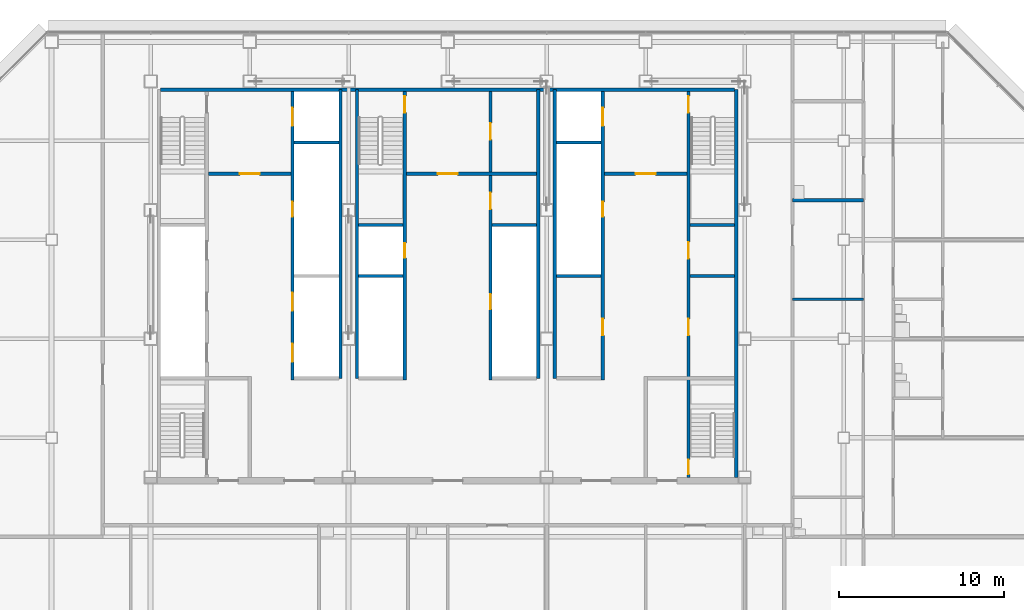
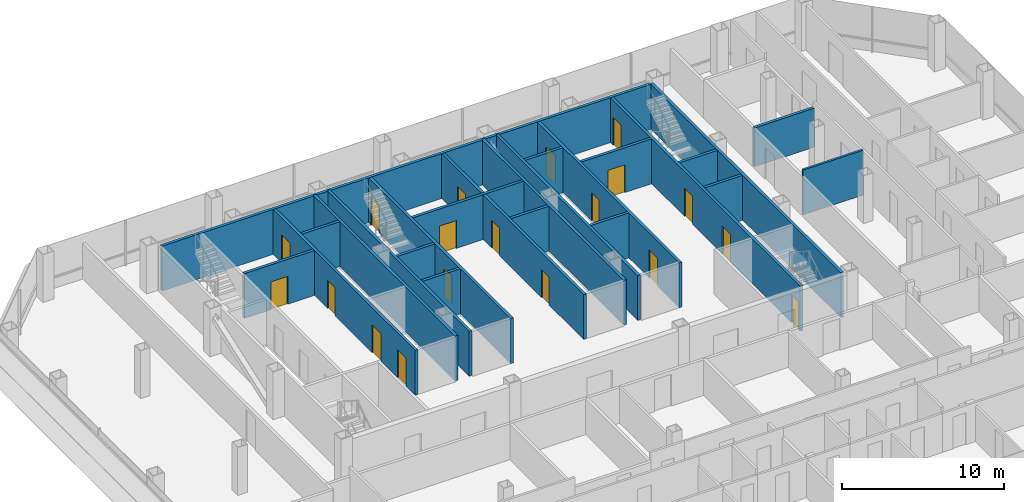
# One storey, part 22 of 26: 24 walls, 19 doors, 19 openings.
"""IFC4 building model written with IfcOpenShell, lengths in metres."""

from ifc_helpers import new_model, si_unit, direction, frame, frame_2d, origin, place, context, subcontext, project, spatial, rectangle, extrude, material, layer, layer_set, type_object, element, fill, save


model = new_model("IFC4")

# Units and contexts
model_context = context("Model", 3, precision=1e-05, world=origin(), true_north=direction((0.0, 1.0)))
body_context = subcontext(model_context, "Body", "Model", "MODEL_VIEW")
ifc_project = project(units=[si_unit("LENGTHUNIT", "METRE"), si_unit("AREAUNIT", "SQUARE_METRE"), si_unit("VOLUMEUNIT", "CUBIC_METRE"), si_unit("PLANEANGLEUNIT", "RADIAN"), si_unit("MASSUNIT", "GRAM", prefix="KILO")], contexts=[model_context])

# Site, building, storey
site_placement = place(None, origin())
site = spatial("IfcSite", under=ifc_project, at=site_placement, CompositionType="ELEMENT")
building_placement = place(site_placement, origin())
building = spatial("IfcBuilding", under=site, at=building_placement, Name="Sorahane Residences", CompositionType="ELEMENT")
storey_placement = place(building_placement, frame((0.0, 0.0, 110.60009765625)))
storey = spatial("IfcBuildingStorey", under=building, at=storey_placement, Name="L24", CompositionType="ELEMENT", Elevation=110.60009765625)

# Walls
ifc_material_1 = material(Name="Concrete C30", Category="concrete")
ifc_layer_1 = layer(ifc_material_1, 0.199951171875)
ifc_layer_set_1 = layer_set([ifc_layer_1], Name="Core face wall 200 EI 180")
wall_type_1 = type_object("IfcWallType", Name="Core face wall 200 EI 180", PredefinedType="SOLIDWALL", material=ifc_layer_set_1)
wall_1_placement = place(storey_placement, frame((41.5, 21.60009765625, 0.0), z_axis=(0.0, 0.0, 1.0), x_axis=(0.0, 1.0, 0.0)))
element("IfcWall", 1, at=wall_1_placement, inside=storey, type_object=wall_type_1, Name="L24 core face wall", PredefinedType="SOLIDWALL", context=body_context, shape_type="SweptSolid", body=[
    extrude(rectangle(XDim=23.5, YDim=0.199951171875, at=frame_2d((11.75, 0.0))), origin(), (0.0, 0.0, 1.0), 3.3798828125),
])
wall_2_placement = place(storey_placement, frame((6.60009765625, 45.10009765625, 0.0), z_axis=(0.0, 0.0, 1.0), x_axis=(1.0, 0.0, 0.0)))
element("IfcWall", 2, at=wall_2_placement, inside=storey, type_object=wall_type_1, Name="L24 core face wall", PredefinedType="SOLIDWALL", context=body_context, shape_type="SweptSolid", body=[
    extrude(rectangle(XDim=34.7998046875, YDim=0.199951171875, at=frame_2d((17.39990234375, 0.0))), origin(), (0.0, 0.0, 1.0), 3.3798828125),
])
for number, where, z_axis, x_axis, name in (
    (3, (17.5, 27.60009765625, 0.0), (0.0, 0.0, 1.0), (0.0, 1.0, 0.0), "L24 core face wall"),
    (4, (18.5, 27.60009765625, 0.0), (0.0, 0.0, 1.0), (0.0, 1.0, 0.0), "L24 core face wall"),
    (5, (29.5, 27.60009765625, 0.0), (0.0, 0.0, 1.0), (0.0, 1.0, 0.0), "L24 core face wall"),
    (6, (30.5, 27.60009765625, 0.0), (0.0, 0.0, 1.0), (0.0, 1.0, 0.0), "L24 core face wall"),
):
    element("IfcWall", number, at=place(storey_placement, frame(where, z_axis=z_axis, x_axis=x_axis)), inside=storey, type_object=wall_type_1, Name=name, PredefinedType="SOLIDWALL", context=body_context, shape_type="SweptSolid", body=[
        extrude(rectangle(XDim=17.5, YDim=0.199951171875, at=frame_2d((8.75, 0.0))), origin(), (0.0, 0.0, 1.0), 3.3798828125),
    ])

# Wall, opening, door
ifc_material_2 = material(Name="Concrete C30", Category="concrete")
ifc_layer_2 = layer(ifc_material_2, 0.199951171875)
ifc_layer_set_2 = layer_set([ifc_layer_2], Name="Front room wall 200 EI 120")
wall_type_2 = type_object("IfcWallType", Name="Front room wall 200 EI 120", PredefinedType="PARTITIONING", material=ifc_layer_set_2)
wall_3_placement = place(storey_placement, frame((21.5, 40.0, 0.0), z_axis=(0.0, 0.0, 1.0), x_axis=(1.0, 0.0, 0.0)))
wall_3 = element("IfcWall", 7, at=wall_3_placement, inside=storey, type_object=wall_type_2, Name="L24 front room wall", PredefinedType="PARTITIONING", context=body_context, shape_type="SweptSolid", body=[
    extrude(rectangle(XDim=7.89990234375, YDim=0.199951171875, at=frame_2d((3.949951171875, 0.0))), origin(), (0.0, 0.0, 1.0), 3.3798828125),
])
opening_1_placement = place(wall_3_placement, frame((1.89990234375, 0.0, 0.0)))
opening_1 = element("IfcOpeningElement", 8, at=opening_1_placement, cuts=wall_3, Name="Opening L24-C07", PredefinedType="OPENING", context=body_context, shape_type="SweptSolid", body=[
    extrude(rectangle(XDim=1.199951171875, YDim=2.10009765625, at=frame_2d((0.60009765625, 1.050048828125))), frame((0.0, 0.10986328125, 0.0), z_axis=(0.0, -1.0, 0.0), x_axis=(1.0, 0.0, 0.0)), (0.0, 0.0, 1.0), 0.219970703125),
])
ifc_material_3 = material(Name="Steel", Category="steel")
door_type_1 = type_object("IfcDoorType", Name="Front room door 1200x2100 FD120", OperationType="NOTDEFINED", PredefinedType="DOOR", material=ifc_material_3)
door_1_placement = place(opening_1_placement, frame((1.199951171875, 0.0, 0.0), z_axis=(0.0, 0.0, 1.0), x_axis=(-1.0, 0.0, 0.0)))
door_1 = element("IfcDoor", 9, at=door_1_placement, inside=storey, type_object=door_type_1, Name="Front room door Stair S3 vestibule L24", OperationType="DOUBLE_DOOR_SINGLE_SWING", OverallHeight=2.10009765625, OverallWidth=1.199951171875, PredefinedType="DOOR", context=body_context, shape_type="SweptSolid", body=[
    extrude(rectangle(XDim=1.199951171875, YDim=2.10009765625, at=frame_2d((0.60009765625, 1.050048828125))), frame((0.0, 0.02490234375, 0.0), z_axis=(0.0, -1.0, 0.0), x_axis=(1.0, 0.0, 0.0)), (0.0, 0.0, 1.0), 0.050048828125),
])
fill(opening_1, door_1)

wall_4_placement = place(storey_placement, frame((33.5, 40.0, 0.0), z_axis=(0.0, 0.0, 1.0), x_axis=(1.0, 0.0, 0.0)))
wall_4 = element("IfcWall", 10, at=wall_4_placement, inside=storey, type_object=wall_type_2, Name="L24 front room wall", PredefinedType="PARTITIONING", context=body_context, shape_type="SweptSolid", body=[
    extrude(rectangle(XDim=5.0, YDim=0.199951171875, at=frame_2d((2.5, 0.0))), origin(), (0.0, 0.0, 1.0), 3.3798828125),
])
opening_2_placement = place(wall_4_placement, frame((1.89990234375, 0.0, 0.0)))
opening_2 = element("IfcOpeningElement", 11, at=opening_2_placement, cuts=wall_4, Name="Opening L24-C08", PredefinedType="OPENING", context=body_context, shape_type="SweptSolid", body=[
    extrude(rectangle(XDim=1.199951171875, YDim=2.10009765625, at=frame_2d((0.60009765625, 1.050048828125))), frame((0.0, 0.10986328125, 0.0), z_axis=(0.0, -1.0, 0.0), x_axis=(1.0, 0.0, 0.0)), (0.0, 0.0, 1.0), 0.219970703125),
])
door_2_placement = place(opening_2_placement, frame((1.199951171875, 0.0, 0.0), z_axis=(0.0, 0.0, 1.0), x_axis=(-1.0, 0.0, 0.0)))
door_2 = element("IfcDoor", 12, at=door_2_placement, inside=storey, type_object=door_type_1, Name="Front room door Firefighting lobby FF2 front room L24", OperationType="DOUBLE_DOOR_SINGLE_SWING", OverallHeight=2.10009765625, OverallWidth=1.199951171875, PredefinedType="DOOR", context=body_context, shape_type="SweptSolid", body=[
    extrude(rectangle(XDim=1.199951171875, YDim=2.10009765625, at=frame_2d((0.60009765625, 1.050048828125))), frame((0.0, 0.02490234375, 0.0), z_axis=(0.0, -1.0, 0.0), x_axis=(1.0, 0.0, 0.0)), (0.0, 0.0, 1.0), 0.050048828125),
])
fill(opening_2, door_2)

wall_5_placement = place(storey_placement, frame((9.5, 40.0, 0.0), z_axis=(0.0, 0.0, 1.0), x_axis=(1.0, 0.0, 0.0)))
wall_5 = element("IfcWall", 13, at=wall_5_placement, inside=storey, type_object=wall_type_2, Name="L24 front room wall", PredefinedType="PARTITIONING", context=body_context, shape_type="SweptSolid", body=[
    extrude(rectangle(XDim=5.0, YDim=0.199951171875, at=frame_2d((2.5, 0.0))), origin(), (0.0, 0.0, 1.0), 3.3798828125),
])
opening_3_placement = place(wall_5_placement, frame((1.89990234375, 0.0, 0.0)))
opening_3 = element("IfcOpeningElement", 14, at=opening_3_placement, cuts=wall_5, Name="Opening L24-C06", PredefinedType="OPENING", context=body_context, shape_type="SweptSolid", body=[
    extrude(rectangle(XDim=1.199951171875, YDim=2.10009765625, at=frame_2d((0.60009765625, 1.050048828125))), frame((0.0, 0.10986328125, 0.0), z_axis=(0.0, -1.0, 0.0), x_axis=(1.0, 0.0, 0.0)), (0.0, 0.0, 1.0), 0.219970703125),
])
door_3_placement = place(opening_3_placement, frame((1.199951171875, 0.0, 0.0), z_axis=(0.0, 0.0, 1.0), x_axis=(-1.0, 0.0, 0.0)))
door_3 = element("IfcDoor", 15, at=door_3_placement, inside=storey, type_object=door_type_1, Name="Front room door Firefighting lobby FF1 front room L24", OperationType="DOUBLE_DOOR_SINGLE_SWING", OverallHeight=2.10009765625, OverallWidth=1.199951171875, PredefinedType="DOOR", context=body_context, shape_type="SweptSolid", body=[
    extrude(rectangle(XDim=1.199951171875, YDim=2.10009765625, at=frame_2d((0.60009765625, 1.050048828125))), frame((0.0, 0.02490234375, 0.0), z_axis=(0.0, -1.0, 0.0), x_axis=(1.0, 0.0, 0.0)), (0.0, 0.0, 1.0), 0.050048828125),
])
fill(opening_3, door_3)

# Wall
ifc_material_4 = material(Name="Concrete blockwork C20 wall", Category="masonry")
ifc_layer_3 = layer(ifc_material_4, 0.199951171875)
ifc_layer_set_3 = layer_set([ifc_layer_3], Name="Kitchen wall 200 EI 180")
wall_type_3 = type_object("IfcWallType", Name="Kitchen wall 200 EI 180", PredefinedType="SOLIDWALL", material=ifc_layer_set_3)
wall_6_placement = place(storey_placement, frame((44.89990234375, 38.39990234375, 0.0), z_axis=(0.0, 0.0, 1.0), x_axis=(1.0, 0.0, 0.0)))
element("IfcWall", 16, at=wall_6_placement, inside=storey, type_object=wall_type_3, Name="L24 kitchen wall", PredefinedType="SOLIDWALL", context=body_context, shape_type="SweptSolid", body=[
    extrude(rectangle(XDim=4.300048828125, YDim=0.199951171875, at=frame_2d((2.14990234375, 0.0))), origin(), (0.0, 0.0, 1.0), 2.929931640625),
])

# Wall, openings, doors
ifc_material_5 = material(Name="Concrete C30", Category="concrete")
ifc_layer_4 = layer(ifc_material_5, 0.199951171875)
ifc_layer_set_4 = layer_set([ifc_layer_4], Name="Lift shaft wall 200 EI 120")
wall_type_4 = type_object("IfcWallType", Name="Lift shaft wall 200 EI 120", PredefinedType="SOLIDWALL", material=ifc_layer_set_4)
wall_7_placement = place(storey_placement, frame((14.60009765625, 27.5, 0.0), z_axis=(0.0, 0.0, 1.0), x_axis=(0.0, 1.0, 0.0)))
wall_7 = element("IfcWall", 17, at=wall_7_placement, inside=storey, type_object=wall_type_4, Name="L24 lift shaft wall", PredefinedType="SOLIDWALL", context=body_context, shape_type="SweptSolid", body=[
    extrude(rectangle(XDim=17.5, YDim=0.199951171875, at=frame_2d((8.75, 0.0))), origin(), (0.0, 0.0, 1.0), 3.3798828125),
])
opening_4_placement = place(wall_7_placement, frame((1.10009765625, 0.0, 0.0)))
opening_4 = element("IfcOpeningElement", 18, at=opening_4_placement, cuts=wall_7, Name="Opening L24-C10", PredefinedType="OPENING", context=body_context, shape_type="SweptSolid", body=[
    extrude(rectangle(XDim=1.10009765625, YDim=2.10009765625, at=frame_2d((0.550048828125, 1.050048828125))), frame((0.0, 0.10986328125, 0.0), z_axis=(0.0, -1.0, 0.0), x_axis=(1.0, 0.0, 0.0)), (0.0, 0.0, 1.0), 0.219970703125),
])
opening_5_placement = place(wall_7_placement, frame((4.199951171875, 0.0, 0.0)))
opening_5 = element("IfcOpeningElement", 19, at=opening_5_placement, cuts=wall_7, Name="Opening L24-C11", PredefinedType="OPENING", context=body_context, shape_type="SweptSolid", body=[
    extrude(rectangle(XDim=1.10009765625, YDim=2.10009765625, at=frame_2d((0.550048828125, 1.050048828125))), frame((0.0, 0.10986328125, 0.0), z_axis=(0.0, -1.0, 0.0), x_axis=(1.0, 0.0, 0.0)), (0.0, 0.0, 1.0), 0.219970703125),
])
opening_6_placement = place(wall_7_placement, frame((15.39990234375, 0.0, 0.0)))
opening_6 = element("IfcOpeningElement", 20, at=opening_6_placement, cuts=wall_7, Name="Opening L24-C12", PredefinedType="OPENING", context=body_context, shape_type="SweptSolid", body=[
    extrude(rectangle(XDim=1.10009765625, YDim=2.10009765625, at=frame_2d((0.550048828125, 1.050048828125))), frame((0.0, 0.10986328125, 0.0), z_axis=(0.0, -1.0, 0.0), x_axis=(1.0, 0.0, 0.0)), (0.0, 0.0, 1.0), 0.219970703125),
])
opening_7_placement = place(wall_7_placement, frame((9.89990234375, 0.0, 0.0)))
opening_7 = element("IfcOpeningElement", 21, at=opening_7_placement, cuts=wall_7, Name="Opening L24-C24", PredefinedType="OPENING", context=body_context, shape_type="SweptSolid", body=[
    extrude(rectangle(XDim=0.89990234375, YDim=2.10009765625, at=frame_2d((0.449951171875, 1.050048828125))), frame((0.0, 0.10986328125, 0.0), z_axis=(0.0, -1.0, 0.0), x_axis=(1.0, 0.0, 0.0)), (0.0, 0.0, 1.0), 0.219970703125),
])
ifc_material_6 = material(Name="Aluminium and stainless steel", Category="steel")
door_type_2 = type_object("IfcDoorType", Name="Lift landing door 1100x2100 E 60", OperationType="NOTDEFINED", PredefinedType="DOOR", material=ifc_material_6)
door_4_placement = place(opening_4_placement, origin())
door_4 = element("IfcDoor", 22, at=door_4_placement, inside=storey, type_object=door_type_2, Name="Lift landing door LR4 L24", OperationType="DOUBLE_DOOR_SLIDING", OverallHeight=2.10009765625, OverallWidth=1.10009765625, PredefinedType="DOOR", context=body_context, shape_type="SweptSolid", body=[
    extrude(rectangle(XDim=1.10009765625, YDim=2.10009765625, at=frame_2d((0.550048828125, 1.050048828125))), frame((0.0, 0.02490234375, 0.0), z_axis=(0.0, -1.0, 0.0), x_axis=(1.0, 0.0, 0.0)), (0.0, 0.0, 1.0), 0.050048828125),
])
fill(opening_4, door_4)
door_5_placement = place(opening_5_placement, origin())
door_5 = element("IfcDoor", 23, at=door_5_placement, inside=storey, type_object=door_type_2, Name="Lift landing door LR5 L24", OperationType="DOUBLE_DOOR_SLIDING", OverallHeight=2.10009765625, OverallWidth=1.10009765625, PredefinedType="DOOR", context=body_context, shape_type="SweptSolid", body=[
    extrude(rectangle(XDim=1.10009765625, YDim=2.10009765625, at=frame_2d((0.550048828125, 1.050048828125))), frame((0.0, 0.02490234375, 0.0), z_axis=(0.0, -1.0, 0.0), x_axis=(1.0, 0.0, 0.0)), (0.0, 0.0, 1.0), 0.050048828125),
])
fill(opening_5, door_5)
door_6_placement = place(opening_6_placement, origin())
door_6 = element("IfcDoor", 24, at=door_6_placement, inside=storey, type_object=door_type_2, Name="Lift landing door FF1 L24", OperationType="DOUBLE_DOOR_SLIDING", OverallHeight=2.10009765625, OverallWidth=1.10009765625, PredefinedType="DOOR", context=body_context, shape_type="SweptSolid", body=[
    extrude(rectangle(XDim=1.10009765625, YDim=2.10009765625, at=frame_2d((0.550048828125, 1.050048828125))), frame((0.0, 0.02490234375, 0.0), z_axis=(0.0, -1.0, 0.0), x_axis=(1.0, 0.0, 0.0)), (0.0, 0.0, 1.0), 0.050048828125),
])
fill(opening_6, door_6)
ifc_material_7 = material(Name="Steel", Category="steel")
door_type_3 = type_object("IfcDoorType", Name="Riser door 900x2100 FD120", OperationType="NOTDEFINED", PredefinedType="DOOR", material=ifc_material_7)
door_7_placement = place(opening_7_placement, origin())
door_7 = element("IfcDoor", 25, at=door_7_placement, inside=storey, type_object=door_type_3, Name="Riser door R1 L24", OperationType="SINGLE_SWING_LEFT", OverallHeight=2.10009765625, OverallWidth=0.89990234375, PredefinedType="DOOR", context=body_context, shape_type="SweptSolid", body=[
    extrude(rectangle(XDim=0.89990234375, YDim=2.10009765625, at=frame_2d((0.449951171875, 1.050048828125))), frame((0.0, 0.02490234375, 0.0), z_axis=(0.0, -1.0, 0.0), x_axis=(1.0, 0.0, 0.0)), (0.0, 0.0, 1.0), 0.050048828125),
])
fill(opening_7, door_7)

wall_8_placement = place(storey_placement, frame((33.39990234375, 27.5, 0.0), z_axis=(0.0, 0.0, 1.0), x_axis=(0.0, 1.0, 0.0)))
wall_8 = element("IfcWall", 26, at=wall_8_placement, inside=storey, type_object=wall_type_4, Name="L24 lift shaft wall", PredefinedType="SOLIDWALL", context=body_context, shape_type="SweptSolid", body=[
    extrude(rectangle(XDim=17.5, YDim=0.199951171875, at=frame_2d((8.75, 0.0))), origin(), (0.0, 0.0, 1.0), 3.3798828125),
])
opening_8_placement = place(wall_8_placement, frame((15.39990234375, 0.0, 0.0)))
opening_8 = element("IfcOpeningElement", 27, at=opening_8_placement, cuts=wall_8, Name="Opening L24-C09", PredefinedType="OPENING", context=body_context, shape_type="SweptSolid", body=[
    extrude(rectangle(XDim=1.10009765625, YDim=2.10009765625, at=frame_2d((0.550048828125, 1.050048828125))), frame((0.0, 0.10986328125, 0.0), z_axis=(0.0, -1.0, 0.0), x_axis=(1.0, 0.0, 0.0)), (0.0, 0.0, 1.0), 0.219970703125),
])
opening_9_placement = place(wall_8_placement, frame((2.699951171875, 0.0, 0.0)))
opening_9 = element("IfcOpeningElement", 28, at=opening_9_placement, cuts=wall_8, Name="Opening L24-C18", PredefinedType="OPENING", context=body_context, shape_type="SweptSolid", body=[
    extrude(rectangle(XDim=1.0, YDim=2.10009765625, at=frame_2d((0.5, 1.050048828125))), frame((0.0, 0.10986328125, 0.0), z_axis=(0.0, -1.0, 0.0), x_axis=(1.0, 0.0, 0.0)), (0.0, 0.0, 1.0), 0.219970703125),
])
opening_10_placement = place(wall_8_placement, frame((9.89990234375, 0.0, 0.0)))
opening_10 = element("IfcOpeningElement", 29, at=opening_10_placement, cuts=wall_8, Name="Opening L24-C25", PredefinedType="OPENING", context=body_context, shape_type="SweptSolid", body=[
    extrude(rectangle(XDim=0.89990234375, YDim=2.10009765625, at=frame_2d((0.449951171875, 1.050048828125))), frame((0.0, 0.10986328125, 0.0), z_axis=(0.0, -1.0, 0.0), x_axis=(1.0, 0.0, 0.0)), (0.0, 0.0, 1.0), 0.219970703125),
])
door_8_placement = place(opening_8_placement, origin())
door_8 = element("IfcDoor", 30, at=door_8_placement, inside=storey, type_object=door_type_2, Name="Lift landing door FF2 L24", OperationType="DOUBLE_DOOR_SLIDING", OverallHeight=2.10009765625, OverallWidth=1.10009765625, PredefinedType="DOOR", context=body_context, shape_type="SweptSolid", body=[
    extrude(rectangle(XDim=1.10009765625, YDim=2.10009765625, at=frame_2d((0.550048828125, 1.050048828125))), frame((0.0, 0.02490234375, 0.0), z_axis=(0.0, -1.0, 0.0), x_axis=(1.0, 0.0, 0.0)), (0.0, 0.0, 1.0), 0.050048828125),
])
fill(opening_8, door_8)
door_9_placement = place(opening_10_placement, frame((0.89990234375, 0.0, 0.0), z_axis=(0.0, 0.0, 1.0), x_axis=(-1.0, 0.0, 0.0)))
door_9 = element("IfcDoor", 31, at=door_9_placement, inside=storey, type_object=door_type_3, Name="Riser door R2 L24", OperationType="SINGLE_SWING_LEFT", OverallHeight=2.10009765625, OverallWidth=0.89990234375, PredefinedType="DOOR", context=body_context, shape_type="SweptSolid", body=[
    extrude(rectangle(XDim=0.89990234375, YDim=2.10009765625, at=frame_2d((0.449951171875, 1.050048828125))), frame((0.0, 0.02490234375, 0.0), z_axis=(0.0, -1.0, 0.0), x_axis=(1.0, 0.0, 0.0)), (0.0, 0.0, 1.0), 0.050048828125),
])
fill(opening_10, door_9)
ifc_material_8 = material(Name="Steel", Category="steel")
door_type_4 = type_object("IfcDoorType", Name="Service room door 1000x2100 FD60", OperationType="NOTDEFINED", PredefinedType="DOOR", material=ifc_material_8)
door_10_placement = place(opening_9_placement, origin())
door_10 = element("IfcDoor", 32, at=door_10_placement, inside=storey, type_object=door_type_4, Name="Service room door Archive L24", OperationType="SINGLE_SWING_RIGHT", OverallHeight=2.10009765625, OverallWidth=1.0, PredefinedType="DOOR", context=body_context, shape_type="SweptSolid", body=[
    extrude(rectangle(XDim=1.0, YDim=2.10009765625, at=frame_2d((0.5, 1.050048828125))), frame((0.0, 0.02490234375, 0.0), z_axis=(0.0, -1.0, 0.0), x_axis=(1.0, 0.0, 0.0)), (0.0, 0.0, 1.0), 0.050048828125),
])
fill(opening_9, door_10)

# Walls
for number, where, z_axis, x_axis, name in (
    (33, (18.60009765625, 33.800048828125, 0.0), (0.0, 0.0, 1.0), (1.0, 0.0, 0.0), "L24 lift shaft wall"),
    (34, (14.699951171875, 41.89990234375, 0.0), (0.0, 0.0, 1.0), (1.0, 0.0, 0.0), "L24 lift shaft wall"),
    (35, (30.60009765625, 41.89990234375, 0.0), (0.0, 0.0, 1.0), (1.0, 0.0, 0.0), "L24 lift shaft wall"),
):
    element("IfcWall", number, at=place(storey_placement, frame(where, z_axis=z_axis, x_axis=x_axis)), inside=storey, type_object=wall_type_4, Name=name, PredefinedType="SOLIDWALL", context=body_context, shape_type="SweptSolid", body=[
        extrude(rectangle(XDim=2.699951171875, YDim=0.199951171875, at=frame_2d((1.35009765625, 0.0))), origin(), (0.0, 0.0, 1.0), 3.3798828125),
    ])
ifc_material_9 = material(Name="Gypsum board partition on steel studs", Category="steel")
ifc_layer_5 = layer(ifc_material_9, 0.14990234375)
ifc_layer_set_5 = layer_set([ifc_layer_5], Name="Partition 150 EI 90")
wall_type_5 = type_object("IfcWallType", Name="Partition 150 EI 90", PredefinedType="PARTITIONING", material=ifc_layer_set_5)
wall_9_placement = place(storey_placement, frame((44.89990234375, 32.39990234375, 0.0), z_axis=(0.0, 0.0, 1.0), x_axis=(1.0, 0.0, 0.0)))
element("IfcWall", 36, at=wall_9_placement, inside=storey, type_object=wall_type_5, Name="L24 partition", PredefinedType="PARTITIONING", context=body_context, shape_type="SweptSolid", body=[
    extrude(rectangle(XDim=4.300048828125, YDim=0.14990234375, at=frame_2d((2.14990234375, 0.0))), origin(), (0.0, 0.0, 1.0), 3.3798828125),
])

# Wall, openings, doors
ifc_material_10 = material(Name="Concrete C30", Category="concrete")
ifc_layer_6 = layer(ifc_material_10, 0.199951171875)
ifc_layer_set_6 = layer_set([ifc_layer_6], Name="Riser shaft wall 200 EI 120")
wall_type_6 = type_object("IfcWallType", Name="Riser shaft wall 200 EI 120", PredefinedType="SOLIDWALL", material=ifc_layer_set_6)
wall_10_placement = place(storey_placement, frame((26.60009765625, 27.5, 0.0), z_axis=(0.0, 0.0, 1.0), x_axis=(0.0, 1.0, 0.0)))
wall_10 = element("IfcWall", 37, at=wall_10_placement, inside=storey, type_object=wall_type_6, Name="L24 riser wall", PredefinedType="SOLIDWALL", context=body_context, shape_type="SweptSolid", body=[
    extrude(rectangle(XDim=17.5, YDim=0.199951171875, at=frame_2d((8.75, 0.0))), origin(), (0.0, 0.0, 1.0), 3.3798828125),
])
opening_11_placement = place(wall_10_placement, frame((4.300048828125, 0.0, 0.0)))
opening_11 = element("IfcOpeningElement", 38, at=opening_11_placement, cuts=wall_10, Name="Opening L24-C27", PredefinedType="OPENING", context=body_context, shape_type="SweptSolid", body=[
    extrude(rectangle(XDim=0.89990234375, YDim=2.10009765625, at=frame_2d((0.449951171875, 1.050048828125))), frame((0.0, 0.10986328125, 0.0), z_axis=(0.0, -1.0, 0.0), x_axis=(1.0, 0.0, 0.0)), (0.0, 0.0, 1.0), 0.219970703125),
])
opening_12_placement = place(wall_10_placement, frame((10.35009765625, 0.0, 0.0)))
opening_12 = element("IfcOpeningElement", 39, at=opening_12_placement, cuts=wall_10, Name="Opening L24-C28", PredefinedType="OPENING", context=body_context, shape_type="SweptSolid", body=[
    extrude(rectangle(XDim=1.0, YDim=2.10009765625, at=frame_2d((0.5, 1.050048828125))), frame((0.0, 0.10986328125, 0.0), z_axis=(0.0, -1.0, 0.0), x_axis=(1.0, 0.0, 0.0)), (0.0, 0.0, 1.0), 0.219970703125),
])
opening_13_placement = place(wall_10_placement, frame((14.574951171875, 0.0, 0.0)))
opening_13 = element("IfcOpeningElement", 40, at=opening_13_placement, cuts=wall_10, Name="Opening L24-C29", PredefinedType="OPENING", context=body_context, shape_type="SweptSolid", body=[
    extrude(rectangle(XDim=1.0, YDim=2.10009765625, at=frame_2d((0.5, 1.050048828125))), frame((0.0, 0.10986328125, 0.0), z_axis=(0.0, -1.0, 0.0), x_axis=(1.0, 0.0, 0.0)), (0.0, 0.0, 1.0), 0.219970703125),
])
door_11_placement = place(opening_11_placement, origin())
door_11 = element("IfcDoor", 41, at=door_11_placement, inside=storey, type_object=door_type_3, Name="Riser door R4 L24", OperationType="SINGLE_SWING_LEFT", OverallHeight=2.10009765625, OverallWidth=0.89990234375, PredefinedType="DOOR", context=body_context, shape_type="SweptSolid", body=[
    extrude(rectangle(XDim=0.89990234375, YDim=2.10009765625, at=frame_2d((0.449951171875, 1.050048828125))), frame((0.0, 0.02490234375, 0.0), z_axis=(0.0, -1.0, 0.0), x_axis=(1.0, 0.0, 0.0)), (0.0, 0.0, 1.0), 0.050048828125),
])
fill(opening_11, door_11)
door_12_placement = place(opening_12_placement, frame((1.0, 0.0, 0.0), z_axis=(0.0, 0.0, 1.0), x_axis=(-1.0, 0.0, 0.0)))
door_12 = element("IfcDoor", 42, at=door_12_placement, inside=storey, type_object=door_type_4, Name="Service room door Linen room L24", OperationType="SINGLE_SWING_LEFT", OverallHeight=2.10009765625, OverallWidth=1.0, PredefinedType="DOOR", context=body_context, shape_type="SweptSolid", body=[
    extrude(rectangle(XDim=1.0, YDim=2.10009765625, at=frame_2d((0.5, 1.050048828125))), frame((0.0, 0.02490234375, 0.0), z_axis=(0.0, -1.0, 0.0), x_axis=(1.0, 0.0, 0.0)), (0.0, 0.0, 1.0), 0.050048828125),
])
fill(opening_12, door_12)
door_13_placement = place(opening_13_placement, frame((1.0, 0.0, 0.0), z_axis=(0.0, 0.0, 1.0), x_axis=(-1.0, 0.0, 0.0)))
door_13 = element("IfcDoor", 43, at=door_13_placement, inside=storey, type_object=door_type_4, Name="Service room door Cleaners' store L24", OperationType="SINGLE_SWING_LEFT", OverallHeight=2.10009765625, OverallWidth=1.0, PredefinedType="DOOR", context=body_context, shape_type="SweptSolid", body=[
    extrude(rectangle(XDim=1.0, YDim=2.10009765625, at=frame_2d((0.5, 1.050048828125))), frame((0.0, 0.02490234375, 0.0), z_axis=(0.0, -1.0, 0.0), x_axis=(1.0, 0.0, 0.0)), (0.0, 0.0, 1.0), 0.050048828125),
])
fill(opening_13, door_13)

# Walls
for number, where, z_axis, x_axis, name in (
    (44, (30.60009765625, 33.800048828125, 0.0), (0.0, 0.0, 1.0), (1.0, 0.0, 0.0), "L24 riser wall"),
    (45, (26.699951171875, 36.89990234375, 0.0), (0.0, 0.0, 1.0), (1.0, 0.0, 0.0), "L24 riser wall"),
):
    element("IfcWall", number, at=place(storey_placement, frame(where, z_axis=z_axis, x_axis=x_axis)), inside=storey, type_object=wall_type_6, Name=name, PredefinedType="SOLIDWALL", context=body_context, shape_type="SweptSolid", body=[
        extrude(rectangle(XDim=2.699951171875, YDim=0.199951171875, at=frame_2d((1.35009765625, 0.0))), origin(), (0.0, 0.0, 1.0), 3.3798828125),
    ])
ifc_material_11 = material(Name="Concrete C30", Category="concrete")
ifc_layer_7 = layer(ifc_material_11, 0.199951171875)
ifc_layer_set_7 = layer_set([ifc_layer_7], Name="Service room partition 200 EI 60")
wall_type_7 = type_object("IfcWallType", Name="Service room partition 200 EI 60", PredefinedType="PARTITIONING", material=ifc_layer_set_7)
wall_11_placement = place(storey_placement, frame((38.699951171875, 33.800048828125, 0.0), z_axis=(0.0, 0.0, 1.0), x_axis=(1.0, 0.0, 0.0)))
element("IfcWall", 46, at=wall_11_placement, inside=storey, type_object=wall_type_7, Name="L24 service room wall", PredefinedType="PARTITIONING", context=body_context, shape_type="SweptSolid", body=[
    extrude(rectangle(XDim=2.699951171875, YDim=0.199951171875, at=frame_2d((1.35009765625, 0.0))), origin(), (0.0, 0.0, 1.0), 3.3798828125),
])

# Wall, openings, doors
ifc_material_12 = material(Name="Concrete C30", Category="concrete")
ifc_layer_8 = layer(ifc_material_12, 0.199951171875)
ifc_layer_set_8 = layer_set([ifc_layer_8], Name="Stair enclosure wall 200 EI 120")
wall_type_8 = type_object("IfcWallType", Name="Stair enclosure wall 200 EI 120", PredefinedType="SOLIDWALL", material=ifc_layer_set_8)
wall_12_placement = place(storey_placement, frame((21.39990234375, 27.5, 0.0), z_axis=(0.0, 0.0, 1.0), x_axis=(0.0, 1.0, 0.0)))
wall_12 = element("IfcWall", 47, at=wall_12_placement, inside=storey, type_object=wall_type_8, Name="L24 stair enclosure wall", PredefinedType="SOLIDWALL", context=body_context, shape_type="SweptSolid", body=[
    extrude(rectangle(XDim=17.5, YDim=0.199951171875, at=frame_2d((8.75, 0.0))), origin(), (0.0, 0.0, 1.0), 3.3798828125),
])
opening_14_placement = place(wall_12_placement, frame((16.199951171875, 0.0, 0.0)))
opening_14 = element("IfcOpeningElement", 48, at=opening_14_placement, cuts=wall_12, Name="Opening L24-C21", PredefinedType="OPENING", context=body_context, shape_type="SweptSolid", body=[
    extrude(rectangle(XDim=1.0, YDim=2.10009765625, at=frame_2d((0.5, 1.050048828125))), frame((0.0, 0.10986328125, 0.0), z_axis=(0.0, -1.0, 0.0), x_axis=(1.0, 0.0, 0.0)), (0.0, 0.0, 1.0), 0.219970703125),
])
opening_15_placement = place(wall_12_placement, frame((7.39990234375, 0.0, 0.0)))
opening_15 = element("IfcOpeningElement", 49, at=opening_15_placement, cuts=wall_12, Name="Opening L24-C26", PredefinedType="OPENING", context=body_context, shape_type="SweptSolid", body=[
    extrude(rectangle(XDim=0.89990234375, YDim=2.10009765625, at=frame_2d((0.449951171875, 1.050048828125))), frame((0.0, 0.10986328125, 0.0), z_axis=(0.0, -1.0, 0.0), x_axis=(1.0, 0.0, 0.0)), (0.0, 0.0, 1.0), 0.219970703125),
])
door_14_placement = place(opening_15_placement, frame((0.89990234375, 0.0, 0.0), z_axis=(0.0, 0.0, 1.0), x_axis=(-1.0, 0.0, 0.0)))
door_14 = element("IfcDoor", 50, at=door_14_placement, inside=storey, type_object=door_type_3, Name="Riser door R3 L24", OperationType="SINGLE_SWING_LEFT", OverallHeight=2.10009765625, OverallWidth=0.89990234375, PredefinedType="DOOR", context=body_context, shape_type="SweptSolid", body=[
    extrude(rectangle(XDim=0.89990234375, YDim=2.10009765625, at=frame_2d((0.449951171875, 1.050048828125))), frame((0.0, 0.02490234375, 0.0), z_axis=(0.0, -1.0, 0.0), x_axis=(1.0, 0.0, 0.0)), (0.0, 0.0, 1.0), 0.050048828125),
])
fill(opening_15, door_14)
ifc_material_13 = material(Name="Steel", Category="steel")
door_type_5 = type_object("IfcDoorType", Name="Stair door 1000x2100 FD120", OperationType="NOTDEFINED", PredefinedType="DOOR", material=ifc_material_13)
door_15_placement = place(opening_14_placement, origin())
door_15 = element("IfcDoor", 51, at=door_15_placement, inside=storey, type_object=door_type_5, Name="Stair door S3 L24", OperationType="SINGLE_SWING_LEFT", OverallHeight=2.10009765625, OverallWidth=1.0, PredefinedType="DOOR", context=body_context, shape_type="SweptSolid", body=[
    extrude(rectangle(XDim=1.0, YDim=2.10009765625, at=frame_2d((0.5, 1.050048828125))), frame((0.0, 0.02490234375, 0.0), z_axis=(0.0, -1.0, 0.0), x_axis=(1.0, 0.0, 0.0)), (0.0, 0.0, 1.0), 0.050048828125),
])
fill(opening_14, door_15)

wall_13_placement = place(storey_placement, frame((38.60009765625, 21.60009765625, 0.0), z_axis=(0.0, 0.0, 1.0), x_axis=(0.0, 1.0, 0.0)))
wall_13 = element("IfcWall", 52, at=wall_13_placement, inside=storey, type_object=wall_type_8, Name="L24 stair enclosure wall", PredefinedType="SOLIDWALL", context=body_context, shape_type="SweptSolid", body=[
    extrude(rectangle(XDim=23.39990234375, YDim=0.199951171875, at=frame_2d((11.699951171875, 0.0))), origin(), (0.0, 0.0, 1.0), 3.3798828125),
])
opening_16_placement = place(wall_13_placement, frame((8.60009765625, 0.0, 0.0)))
opening_16 = element("IfcOpeningElement", 53, at=opening_16_placement, cuts=wall_13, Name="Opening L24-C16", PredefinedType="OPENING", context=body_context, shape_type="SweptSolid", body=[
    extrude(rectangle(XDim=1.0, YDim=2.10009765625, at=frame_2d((0.5, 1.050048828125))), frame((0.0, 0.10986328125, 0.0), z_axis=(0.0, -1.0, 0.0), x_axis=(1.0, 0.0, 0.0)), (0.0, 0.0, 1.0), 0.219970703125),
])
opening_17_placement = place(wall_13_placement, frame((13.25, 0.0, 0.0)))
opening_17 = element("IfcOpeningElement", 54, at=opening_17_placement, cuts=wall_13, Name="Opening L24-C17", PredefinedType="OPENING", context=body_context, shape_type="SweptSolid", body=[
    extrude(rectangle(XDim=1.0, YDim=2.10009765625, at=frame_2d((0.5, 1.050048828125))), frame((0.0, 0.10986328125, 0.0), z_axis=(0.0, -1.0, 0.0), x_axis=(1.0, 0.0, 0.0)), (0.0, 0.0, 1.0), 0.219970703125),
])
opening_18_placement = place(wall_13_placement, frame((22.10009765625, 0.0, 0.0)))
opening_18 = element("IfcOpeningElement", 55, at=opening_18_placement, cuts=wall_13, Name="Opening L24-C20", PredefinedType="OPENING", context=body_context, shape_type="SweptSolid", body=[
    extrude(rectangle(XDim=1.0, YDim=2.10009765625, at=frame_2d((0.5, 1.050048828125))), frame((0.0, 0.10986328125, 0.0), z_axis=(0.0, -1.0, 0.0), x_axis=(1.0, 0.0, 0.0)), (0.0, 0.0, 1.0), 0.219970703125),
])
opening_19_placement = place(wall_13_placement, frame((0.175048828125, 0.0, 0.0)))
opening_19 = element("IfcOpeningElement", 56, at=opening_19_placement, cuts=wall_13, Name="Opening L24-C23", PredefinedType="OPENING", context=body_context, shape_type="SweptSolid", body=[
    extrude(rectangle(XDim=0.89990234375, YDim=2.10009765625, at=frame_2d((0.449951171875, 1.050048828125))), frame((0.0, 0.10986328125, 0.0), z_axis=(0.0, -1.0, 0.0), x_axis=(1.0, 0.0, 0.0)), (0.0, 0.0, 1.0), 0.219970703125),
])
door_16_placement = place(opening_16_placement, frame((1.0, 0.0, 0.0), z_axis=(0.0, 0.0, 1.0), x_axis=(-1.0, 0.0, 0.0)))
door_16 = element("IfcDoor", 57, at=door_16_placement, inside=storey, type_object=door_type_4, Name="Service room door Archive L24", OperationType="SINGLE_SWING_RIGHT", OverallHeight=2.10009765625, OverallWidth=1.0, PredefinedType="DOOR", context=body_context, shape_type="SweptSolid", body=[
    extrude(rectangle(XDim=1.0, YDim=2.10009765625, at=frame_2d((0.5, 1.050048828125))), frame((0.0, 0.02490234375, 0.0), z_axis=(0.0, -1.0, 0.0), x_axis=(1.0, 0.0, 0.0)), (0.0, 0.0, 1.0), 0.050048828125),
])
fill(opening_16, door_16)
door_17_placement = place(opening_17_placement, frame((1.0, 0.0, 0.0), z_axis=(0.0, 0.0, 1.0), x_axis=(-1.0, 0.0, 0.0)))
door_17 = element("IfcDoor", 58, at=door_17_placement, inside=storey, type_object=door_type_4, Name="Service room door Flower room L24", OperationType="SINGLE_SWING_LEFT", OverallHeight=2.10009765625, OverallWidth=1.0, PredefinedType="DOOR", context=body_context, shape_type="SweptSolid", body=[
    extrude(rectangle(XDim=1.0, YDim=2.10009765625, at=frame_2d((0.5, 1.050048828125))), frame((0.0, 0.02490234375, 0.0), z_axis=(0.0, -1.0, 0.0), x_axis=(1.0, 0.0, 0.0)), (0.0, 0.0, 1.0), 0.050048828125),
])
fill(opening_17, door_17)
door_18_placement = place(opening_18_placement, frame((1.0, 0.0, 0.0), z_axis=(0.0, 0.0, 1.0), x_axis=(-1.0, 0.0, 0.0)))
door_18 = element("IfcDoor", 59, at=door_18_placement, inside=storey, type_object=door_type_5, Name="Stair door S2 L24", OperationType="SINGLE_SWING_LEFT", OverallHeight=2.10009765625, OverallWidth=1.0, PredefinedType="DOOR", context=body_context, shape_type="SweptSolid", body=[
    extrude(rectangle(XDim=1.0, YDim=2.10009765625, at=frame_2d((0.5, 1.050048828125))), frame((0.0, 0.02490234375, 0.0), z_axis=(0.0, -1.0, 0.0), x_axis=(1.0, 0.0, 0.0)), (0.0, 0.0, 1.0), 0.050048828125),
])
fill(opening_18, door_18)
ifc_material_14 = material(Name="Steel", Category="steel")
door_type_6 = type_object("IfcDoorType", Name="Stair door 900x2100 FD120", OperationType="NOTDEFINED", PredefinedType="DOOR", material=ifc_material_14)
door_19_placement = place(opening_19_placement, frame((0.89990234375, 0.0, 0.0), z_axis=(0.0, 0.0, 1.0), x_axis=(-1.0, 0.0, 0.0)))
door_19 = element("IfcDoor", 60, at=door_19_placement, inside=storey, type_object=door_type_6, Name="Stair door S5 L24", OperationType="SINGLE_SWING_LEFT", OverallHeight=2.10009765625, OverallWidth=0.89990234375, PredefinedType="DOOR", context=body_context, shape_type="SweptSolid", body=[
    extrude(rectangle(XDim=0.89990234375, YDim=2.10009765625, at=frame_2d((0.449951171875, 1.050048828125))), frame((0.0, 0.02490234375, 0.0), z_axis=(0.0, -1.0, 0.0), x_axis=(1.0, 0.0, 0.0)), (0.0, 0.0, 1.0), 0.050048828125),
])
fill(opening_19, door_19)

# Walls
for number, where, z_axis, x_axis, name in (
    (61, (18.60009765625, 36.89990234375, 0.0), (0.0, 0.0, 1.0), (1.0, 0.0, 0.0), "L24 stair enclosure wall"),
    (62, (38.699951171875, 36.89990234375, 0.0), (0.0, 0.0, 1.0), (1.0, 0.0, 0.0), "L24 stair enclosure wall"),
):
    element("IfcWall", number, at=place(storey_placement, frame(where, z_axis=z_axis, x_axis=x_axis)), inside=storey, type_object=wall_type_8, Name=name, PredefinedType="SOLIDWALL", context=body_context, shape_type="SweptSolid", body=[
        extrude(rectangle(XDim=2.699951171875, YDim=0.199951171875, at=frame_2d((1.35009765625, 0.0))), origin(), (0.0, 0.0, 1.0), 3.3798828125),
    ])

save(model, "model.ifc")
